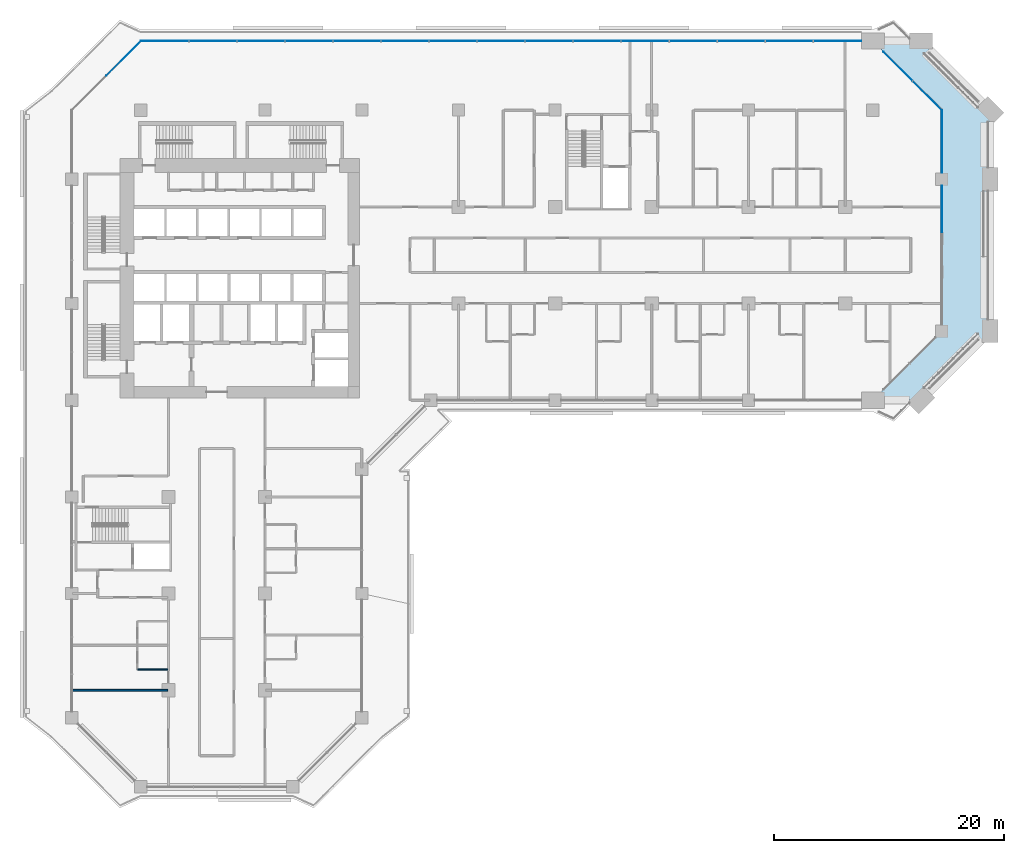
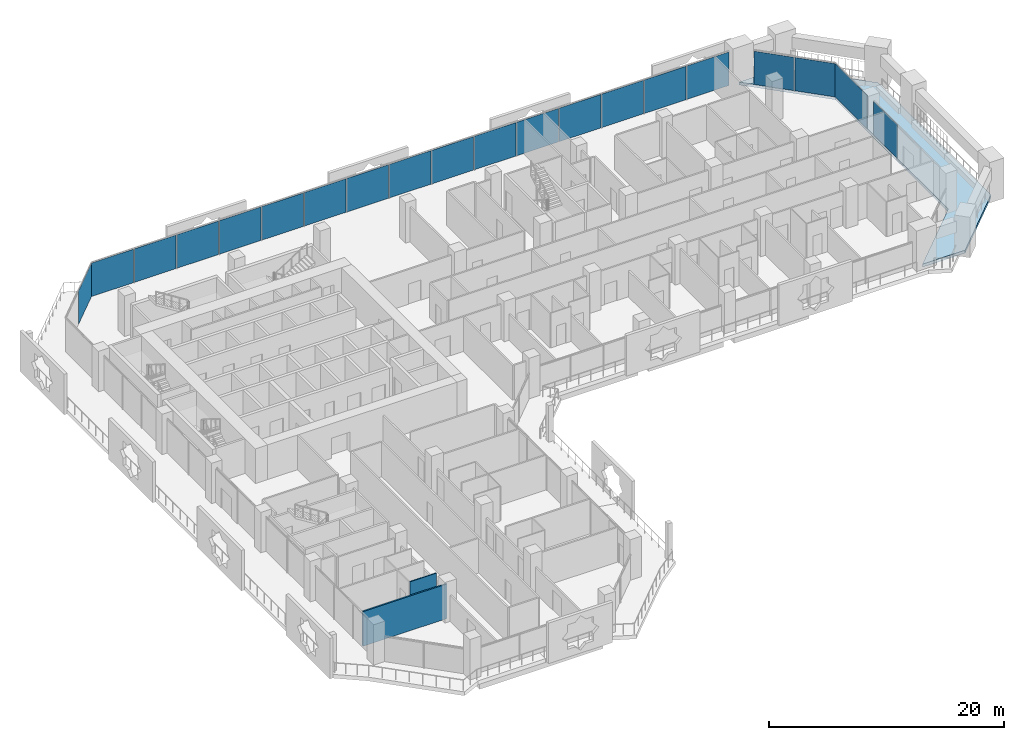
# One storey, part 12 of 25: 20 plates, 2 walls, 1 slab, 4 elements without a shape of their own.
"""IFC4 building model written with IfcOpenShell, lengths in metres."""

from ifc_helpers import new_model, si_unit, direction, frame, frame_2d, origin, origin_2d, place, context, subcontext, project, spatial, polyline, rectangle, outline, extrude, material, layer, layer_set, type_object, element, aggregate, save


model = new_model("IFC4")

# Units and contexts
model_context = context("Model", 3, precision=1e-05, world=origin(), true_north=direction((0.0, 1.0)))
body_context = subcontext(model_context, "Body", "Model", "MODEL_VIEW")
ifc_project = project(units=[si_unit("LENGTHUNIT", "METRE"), si_unit("AREAUNIT", "SQUARE_METRE"), si_unit("VOLUMEUNIT", "CUBIC_METRE"), si_unit("PLANEANGLEUNIT", "RADIAN"), si_unit("MASSUNIT", "GRAM", prefix="KILO")], contexts=[model_context])

# Site, building, storey
site_placement = place(None, origin())
site = spatial("IfcSite", under=ifc_project, at=site_placement, CompositionType="ELEMENT")
building_placement = place(site_placement, origin())
building = spatial("IfcBuilding", under=site, at=building_placement, Name="Kawkab Arch Medical Tower", CompositionType="ELEMENT")
storey_placement = place(building_placement, frame((0.0, 0.0, 111.39990234375)))
storey = spatial("IfcBuildingStorey", under=building, at=storey_placement, Name="L25", CompositionType="ELEMENT", Elevation=111.39990234375)

# Curtain wall, plates
ifc_material_1 = material(Name="Bronze anodised aluminium curtain wall frame", Category="aluminium")
ifc_layer_1 = layer(ifc_material_1, 0.159912109375)
ifc_layer_set_1 = layer_set([ifc_layer_1], Name="Bronze anodised aluminium curtain wall frame")
curtain_wall_type_1 = type_object("IfcCurtainWallType", Name="CW1 ward curtain wall", PredefinedType="NOTDEFINED", material=ifc_layer_set_1)
placement = place(storey_placement, origin())
curtain_wall_1 = element("IfcCurtainWall", 1, at=placement, inside=storey, type_object=curtain_wall_type_1, Name="CW1 Ward curtain wall R09", PredefinedType="NOTDEFINED")
ifc_material_2 = material(Name="Tinted insulating glass, bronze low-e coating", Category="glass")
ifc_layer_2 = layer(ifc_material_2, 0.031982421875)
ifc_layer_set_2 = layer_set([ifc_layer_2], Name="Tinted insulating glass, bronze low-e coating")
plate_type_1 = type_object("IfcPlateType", Name="CW1 glazing unit 32", PredefinedType="CURTAIN_PANEL", material=ifc_layer_set_2)
plate_1_placement = place(storey_placement, frame((75.60009765625, -8.566650390625, 0.0), z_axis=(0.0, 0.0, 1.0), x_axis=(0.0, 1.0, 0.0)))
plate_1 = element("IfcPlate", 2, at=plate_1_placement, type_object=plate_type_1, Name="CW1 glazing unit 1.3", PredefinedType="CURTAIN_PANEL", context=body_context, shape_type="SweptSolid", body=[
    extrude(rectangle(XDim=4.033447265625, YDim=0.031982421875, at=origin_2d()), origin(), (0.0, 0.0, 1.0), 3.47998046875),
])
plate_2_placement = place(storey_placement, frame((75.60009765625, -2.72509765625, 0.0), z_axis=(0.0, 0.0, 1.0), x_axis=(0.0, 1.0, 0.0)))
plate_2 = element("IfcPlate", 3, at=plate_2_placement, type_object=plate_type_1, Name="CW1 glazing unit 2.1", PredefinedType="CURTAIN_PANEL", context=body_context, shape_type="SweptSolid", body=[
    extrude(rectangle(XDim=5.449951171875, YDim=0.031982421875, at=origin_2d()), origin(), (0.0, 0.0, 1.0), 3.47998046875),
])
aggregate(curtain_wall_1, [plate_1, plate_2])

curtain_wall_2 = element("IfcCurtainWall", 4, at=placement, inside=storey, type_object=curtain_wall_type_1, Name="CW1 Ward curtain wall R11", PredefinedType="NOTDEFINED")
plate_3_placement = place(storey_placement, frame((66.5283203125, 6.0, 0.0), z_axis=(0.0, 0.0, 1.0), x_axis=(-1.0, 0.0, 0.0)))
plate_3 = element("IfcPlate", 5, at=plate_3_placement, type_object=plate_type_1, Name="CW1 glazing unit 1.1", PredefinedType="CURTAIN_PANEL", context=body_context, shape_type="SweptSolid", body=[
    extrude(rectangle(XDim=4.143310546875, YDim=0.031982421875, at=origin_2d()), origin(), (0.0, 0.0, 1.0), 3.47998046875),
])
plate_4_placement = place(storey_placement, frame((62.340087890625, 6.0, 0.0), z_axis=(0.0, 0.0, 1.0), x_axis=(-1.0, 0.0, 0.0)))
plate_4 = element("IfcPlate", 6, at=plate_4_placement, type_object=plate_type_1, Name="CW1 glazing unit 1.2", PredefinedType="CURTAIN_PANEL", context=body_context, shape_type="SweptSolid", body=[
    extrude(rectangle(XDim=4.11328125, YDim=0.031982421875, at=origin_2d()), origin(), (0.0, 0.0, 1.0), 3.47998046875),
])
plate_5_placement = place(storey_placement, frame((58.166748046875, 6.0, 0.0), z_axis=(0.0, 0.0, 1.0), x_axis=(-1.0, 0.0, 0.0)))
plate_5 = element("IfcPlate", 7, at=plate_5_placement, type_object=plate_type_1, Name="CW1 glazing unit 1.3", PredefinedType="CURTAIN_PANEL", context=body_context, shape_type="SweptSolid", body=[
    extrude(rectangle(XDim=4.11328125, YDim=0.031982421875, at=origin_2d()), origin(), (0.0, 0.0, 1.0), 3.47998046875),
])
plate_6_placement = place(storey_placement, frame((53.993408203125, 6.0, 0.0), z_axis=(0.0, 0.0, 1.0), x_axis=(-1.0, 0.0, 0.0)))
plate_6 = element("IfcPlate", 8, at=plate_6_placement, type_object=plate_type_1, Name="CW1 glazing unit 1.4", PredefinedType="CURTAIN_PANEL", context=body_context, shape_type="SweptSolid", body=[
    extrude(rectangle(XDim=4.11328125, YDim=0.031982421875, at=origin_2d()), origin(), (0.0, 0.0, 1.0), 3.47998046875),
])
plate_7_placement = place(storey_placement, frame((49.820068359375, 6.0, 0.0), z_axis=(0.0, 0.0, 1.0), x_axis=(-1.0, 0.0, 0.0)))
plate_7 = element("IfcPlate", 9, at=plate_7_placement, type_object=plate_type_1, Name="CW1 glazing unit 1.5", PredefinedType="CURTAIN_PANEL", context=body_context, shape_type="SweptSolid", body=[
    extrude(rectangle(XDim=4.11328125, YDim=0.031982421875, at=origin_2d()), origin(), (0.0, 0.0, 1.0), 3.47998046875),
])
plate_8_placement = place(storey_placement, frame((45.646728515625, 6.0, 0.0), z_axis=(0.0, 0.0, 1.0), x_axis=(-1.0, 0.0, 0.0)))
plate_8 = element("IfcPlate", 10, at=plate_8_placement, type_object=plate_type_1, Name="CW1 glazing unit 1.6", PredefinedType="CURTAIN_PANEL", context=body_context, shape_type="SweptSolid", body=[
    extrude(rectangle(XDim=4.11328125, YDim=0.031982421875, at=origin_2d()), origin(), (0.0, 0.0, 1.0), 3.47998046875),
])
plate_9_placement = place(storey_placement, frame((41.473388671875, 6.0, 0.0), z_axis=(0.0, 0.0, 1.0), x_axis=(-1.0, 0.0, 0.0)))
plate_9 = element("IfcPlate", 11, at=plate_9_placement, type_object=plate_type_1, Name="CW1 glazing unit 1.7", PredefinedType="CURTAIN_PANEL", context=body_context, shape_type="SweptSolid", body=[
    extrude(rectangle(XDim=4.11328125, YDim=0.031982421875, at=origin_2d()), origin(), (0.0, 0.0, 1.0), 3.47998046875),
])
plate_10_placement = place(storey_placement, frame((37.300048828125, 6.0, 0.0), z_axis=(0.0, 0.0, 1.0), x_axis=(-1.0, 0.0, 0.0)))
plate_10 = element("IfcPlate", 12, at=plate_10_placement, type_object=plate_type_1, Name="CW1 glazing unit 1.8", PredefinedType="CURTAIN_PANEL", context=body_context, shape_type="SweptSolid", body=[
    extrude(rectangle(XDim=4.11328125, YDim=0.031982421875, at=origin_2d()), origin(), (0.0, 0.0, 1.0), 3.47998046875),
])
plate_11_placement = place(storey_placement, frame((33.126708984375, 6.0, 0.0), z_axis=(0.0, 0.0, 1.0), x_axis=(-1.0, 0.0, 0.0)))
plate_11 = element("IfcPlate", 13, at=plate_11_placement, type_object=plate_type_1, Name="CW1 glazing unit 1.9", PredefinedType="CURTAIN_PANEL", context=body_context, shape_type="SweptSolid", body=[
    extrude(rectangle(XDim=4.11328125, YDim=0.031982421875, at=origin_2d()), origin(), (0.0, 0.0, 1.0), 3.47998046875),
])
plate_12_placement = place(storey_placement, frame((28.953369140625, 6.0, 0.0), z_axis=(0.0, 0.0, 1.0), x_axis=(-1.0, 0.0, 0.0)))
plate_12 = element("IfcPlate", 14, at=plate_12_placement, type_object=plate_type_1, Name="CW1 glazing unit 1.10", PredefinedType="CURTAIN_PANEL", context=body_context, shape_type="SweptSolid", body=[
    extrude(rectangle(XDim=4.11328125, YDim=0.031982421875, at=origin_2d()), origin(), (0.0, 0.0, 1.0), 3.47998046875),
])
plate_13_placement = place(storey_placement, frame((24.780029296875, 6.0, 0.0), z_axis=(0.0, 0.0, 1.0), x_axis=(-1.0, 0.0, 0.0)))
plate_13 = element("IfcPlate", 15, at=plate_13_placement, type_object=plate_type_1, Name="CW1 glazing unit 1.11", PredefinedType="CURTAIN_PANEL", context=body_context, shape_type="SweptSolid", body=[
    extrude(rectangle(XDim=4.11328125, YDim=0.031982421875, at=origin_2d()), origin(), (0.0, 0.0, 1.0), 3.47998046875),
])
plate_14_placement = place(storey_placement, frame((20.606689453125, 6.0, 0.0), z_axis=(0.0, 0.0, 1.0), x_axis=(-1.0, 0.0, 0.0)))
plate_14 = element("IfcPlate", 16, at=plate_14_placement, type_object=plate_type_1, Name="CW1 glazing unit 1.12", PredefinedType="CURTAIN_PANEL", context=body_context, shape_type="SweptSolid", body=[
    extrude(rectangle(XDim=4.11328125, YDim=0.031982421875, at=origin_2d()), origin(), (0.0, 0.0, 1.0), 3.47998046875),
])
plate_15_placement = place(storey_placement, frame((16.433349609375, 6.0, 0.0), z_axis=(0.0, 0.0, 1.0), x_axis=(-1.0, 0.0, 0.0)))
plate_15 = element("IfcPlate", 17, at=plate_15_placement, type_object=plate_type_1, Name="CW1 glazing unit 1.13", PredefinedType="CURTAIN_PANEL", context=body_context, shape_type="SweptSolid", body=[
    extrude(rectangle(XDim=4.11328125, YDim=0.031982421875, at=origin_2d()), origin(), (0.0, 0.0, 1.0), 3.47998046875),
])
plate_16_placement = place(storey_placement, frame((12.260009765625, 6.0, 0.0), z_axis=(0.0, 0.0, 1.0), x_axis=(-1.0, 0.0, 0.0)))
plate_16 = element("IfcPlate", 18, at=plate_16_placement, type_object=plate_type_1, Name="CW1 glazing unit 1.14", PredefinedType="CURTAIN_PANEL", context=body_context, shape_type="SweptSolid", body=[
    extrude(rectangle(XDim=4.11328125, YDim=0.031982421875, at=origin_2d()), origin(), (0.0, 0.0, 1.0), 3.47998046875),
])
plate_17_placement = place(storey_placement, frame((8.07177734375, 6.0, 0.0), z_axis=(0.0, 0.0, 1.0), x_axis=(-1.0, 0.0, 0.0)))
plate_17 = element("IfcPlate", 19, at=plate_17_placement, type_object=plate_type_1, Name="CW1 glazing unit 1.15", PredefinedType="CURTAIN_PANEL", context=body_context, shape_type="SweptSolid", body=[
    extrude(rectangle(XDim=4.143310546875, YDim=0.031982421875, at=origin_2d()), origin(), (0.0, 0.0, 1.0), 3.47998046875),
])
aggregate(curtain_wall_2, [plate_3, plate_4, plate_5, plate_6, plate_7, plate_8, plate_9, plate_10, plate_11, plate_12, plate_13, plate_14, plate_15, plate_16, plate_17])

ifc_material_3 = material(Name="Bronze anodised aluminium curtain wall frame", Category="aluminium")
ifc_layer_3 = layer(ifc_material_3, 0.159912109375)
ifc_layer_set_3 = layer_set([ifc_layer_3], Name="Bronze anodised aluminium curtain wall frame")
curtain_wall_type_2 = type_object("IfcCurtainWallType", Name="CW2 chamfer curtain wall", PredefinedType="NOTDEFINED", material=ifc_layer_set_3)
curtain_wall_3 = element("IfcCurtainWall", 20, at=placement, inside=storey, type_object=curtain_wall_type_2, Name="CW2 Chamfer curtain wall R10", PredefinedType="NOTDEFINED")
ifc_material_4 = material(Name="Tinted insulating glass, bronze low-e coating", Category="glass")
ifc_layer_4 = layer(ifc_material_4, 0.031982421875)
ifc_layer_set_4 = layer_set([ifc_layer_4], Name="Tinted insulating glass, bronze low-e coating")
plate_type_2 = type_object("IfcPlateType", Name="CW2 glazing unit 32", PredefinedType="CURTAIN_PANEL", material=ifc_layer_set_4)
plate_18_placement = place(storey_placement, frame((74.34326171875, 1.2568359375, 0.0), z_axis=(0.0, 0.0, 1.0), x_axis=(-0.707106781187, 0.707106781187, 0.0)))
plate_18 = element("IfcPlate", 21, at=plate_18_placement, type_object=plate_type_2, Name="CW2 glazing unit 1.1", PredefinedType="CURTAIN_PANEL", context=body_context, shape_type="SweptSolid", body=[
    extrude(rectangle(XDim=3.5546875, YDim=0.031982421875, at=origin_2d()), origin(), (0.0, 0.0, 1.0), 3.4599609375),
])
plate_19_placement = place(storey_placement, frame((71.787109375, 3.812744140625, 0.0), z_axis=(0.0, 0.0, 1.0), x_axis=(-0.707106781187, 0.707106781187, 0.0)))
plate_19 = element("IfcPlate", 22, at=plate_19_placement, type_object=plate_type_2, Name="CW2 glazing unit 1.2", PredefinedType="CURTAIN_PANEL", context=body_context, shape_type="SweptSolid", body=[
    extrude(rectangle(XDim=3.5546875, YDim=0.031982421875, at=origin_2d()), origin(), (0.0, 0.0, 1.0), 3.4599609375),
])
aggregate(curtain_wall_3, [plate_18, plate_19])

# Curtain wall, plate
curtain_wall_4 = element("IfcCurtainWall", 23, at=placement, inside=storey, type_object=curtain_wall_type_2, Name="CW2 Chamfer curtain wall R12", PredefinedType="NOTDEFINED")
plate_20_placement = place(storey_placement, frame((4.5, 4.5, 0.0), z_axis=(0.0, 0.0, 1.0), x_axis=(-0.707106781187, -0.707106781187, 0.0)))
plate_20 = element("IfcPlate", 24, at=plate_20_placement, type_object=plate_type_2, Name="CW2 glazing unit 1.1", PredefinedType="CURTAIN_PANEL", context=body_context, shape_type="SweptSolid", body=[
    extrude(rectangle(XDim=4.24267578125, YDim=0.031982421875, at=origin_2d()), origin(), (0.0, 0.0, 1.0), 3.4599609375),
])
aggregate(curtain_wall_4, [plate_20])

# Slab
ifc_material_5 = material(Name="Concrete C40/50", Category="concrete")
ifc_layer_5 = layer(ifc_material_5, 0.300048828125)
ifc_layer_set_5 = layer_set([ifc_layer_5], Name="Concrete C40/50")
slab_type = type_object("IfcSlabType", Name="Terrace slab 300", PredefinedType="FLOOR", material=ifc_layer_set_5)
slab_placement = place(storey_placement, frame((0.0, 0.0, -0.2998046875)))
element("IfcSlab", 25, at=slab_placement, inside=storey, type_object=slab_type, Name="Terrace slab L25.1", PredefinedType="FLOOR", context=body_context, shape_type="SweptSolid", body=[
    extrude(outline(polyline([(73.7958984375, 6.0), (69.625, 6.0), (69.6240234375, 6.0), (69.623046875, 6.0), (69.6220703125, 6.0), (69.62109375, 5.9990234375), (69.6201171875, 5.9990234375), (69.618896484375, 5.998046875), (69.617919921875, 5.9970703125), (69.616943359375, 5.99609375), (69.615966796875, 5.9951171875), (69.615966796875, 5.993896484375), (69.614990234375, 5.992919921875), (69.614990234375, 5.991943359375), (69.614990234375, 5.990966796875), (69.614990234375, 5.989990234375), (69.614990234375, 5.989013671875), (69.614990234375, 5.988037109375), (69.614990234375, 5.987060546875), (69.615966796875, 5.986083984375), (69.615966796875, 5.985107421875), (69.616943359375, 5.98388671875), (69.617919921875, 5.98291015625), (75.60009765625, 0.0), (75.60009765625, -19.199951171875), (69.617919921875, -25.18310546875), (69.616943359375, -25.18408203125), (69.615966796875, -25.18505859375), (69.615966796875, -25.18603515625), (69.614990234375, -25.18701171875), (69.614990234375, -25.18798828125), (69.614990234375, -25.18896484375), (69.614990234375, -25.18994140625), (69.614990234375, -25.19091796875), (69.614990234375, -25.19189453125), (69.614990234375, -25.193115234375), (69.615966796875, -25.194091796875), (69.615966796875, -25.195068359375), (69.616943359375, -25.196044921875), (69.617919921875, -25.197021484375), (69.618896484375, -25.197998046875), (69.6201171875, -25.198974609375), (69.62109375, -25.198974609375), (69.6220703125, -25.199951171875), (69.623046875, -25.199951171875), (69.6240234375, -25.199951171875), (69.625, -25.199951171875), (73.7958984375, -25.199951171875), (73.797119140625, -25.199951171875), (73.798095703125, -25.199951171875), (73.799072265625, -25.199951171875), (73.800048828125, -25.198974609375), (73.801025390625, -25.198974609375), (73.801025390625, -25.197998046875), (73.802001953125, -25.197998046875), (73.802978515625, -25.197021484375), (79.797119140625, -19.202880859375), (79.798095703125, -19.201904296875), (79.798095703125, -19.200927734375), (79.799072265625, -19.200927734375), (79.799072265625, -19.199951171875), (79.800048828125, -19.198974609375), (79.800048828125, -19.197998046875), (79.800048828125, -19.197021484375), (79.800048828125, -19.196044921875), (79.800048828125, -0.00390625), (79.800048828125, -0.0029296875), (79.800048828125, -0.001953125), (79.800048828125, -0.0009765625), (79.799072265625, 0.0), (79.799072265625, 0.0009765625), (79.798095703125, 0.0009765625), (79.798095703125, 0.001953125), (79.797119140625, 0.0029296875), (73.802978515625, 5.9970703125), (73.802001953125, 5.998046875), (73.801025390625, 5.998046875), (73.801025390625, 5.9990234375), (73.800048828125, 5.9990234375), (73.799072265625, 6.0), (73.798095703125, 6.0), (73.797119140625, 6.0), (73.7958984375, 6.0)])), origin(), (0.0, 0.0, 1.0), 0.2998046875),
])

# Walls
ifc_material_6 = material(Name="Gypsum board partition on steel studs", Category="steel")
ifc_layer_6 = layer(ifc_material_6, 0.10009765625)
ifc_layer_set_6 = layer_set([ifc_layer_6], Name="Gypsum board partition on steel studs")
wall_type_1 = type_object("IfcWallType", Name="Partition 100", PredefinedType="PARTITIONING", material=ifc_layer_set_6)
wall_1_placement = place(storey_placement, frame((5.75, -48.60009765625, 0.0), z_axis=(0.0, 0.0, 1.0), x_axis=(1.0, 0.0, 0.0)))
element("IfcWall", 26, at=wall_1_placement, inside=storey, type_object=wall_type_1, Name="Partition 100 w001", PredefinedType="PARTITIONING", context=body_context, shape_type="SweptSolid", body=[
    extrude(rectangle(XDim=2.574951171875, YDim=0.10009765625, at=frame_2d((1.28759765625, 0.0))), origin(), (0.0, 0.0, 1.0), 3.60009765625),
])
ifc_material_7 = material(Name="Gypsum board partition on steel studs, mineral wool", Category="steel")
ifc_layer_7 = layer(ifc_material_7, 0.14990234375)
ifc_layer_set_7 = layer_set([ifc_layer_7], Name="Gypsum board partition on steel studs, mineral wool")
wall_type_2 = type_object("IfcWallType", Name="Partition 150", PredefinedType="PARTITIONING", material=ifc_layer_set_7)
wall_2_placement = place(storey_placement, frame((0.080078125, -50.39990234375, 0.0), z_axis=(0.0, 0.0, 1.0), x_axis=(1.0, 0.0, 0.0)))
element("IfcWall", 27, at=wall_2_placement, inside=storey, type_object=wall_type_2, Name="Partition 150 w029", PredefinedType="PARTITIONING", context=body_context, shape_type="SweptSolid", body=[
    extrude(rectangle(XDim=8.244873046875, YDim=0.14990234375, at=frame_2d((4.12255859375, 0.0))), origin(), (0.0, 0.0, 1.0), 3.60009765625),
])

save(model, "model.ifc")
